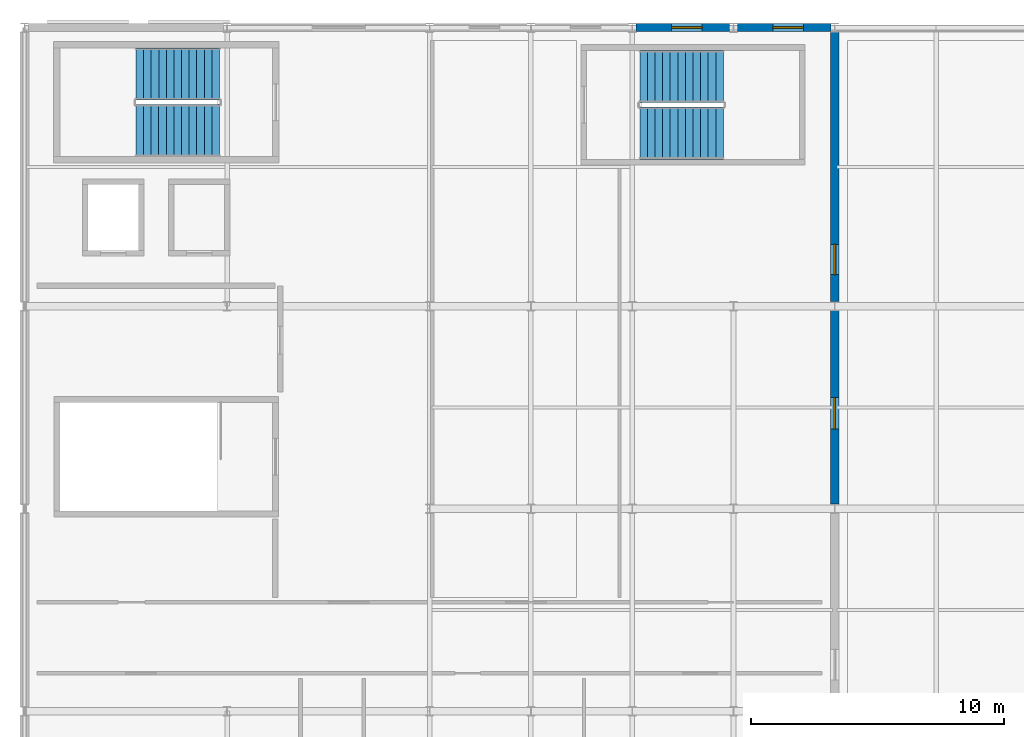
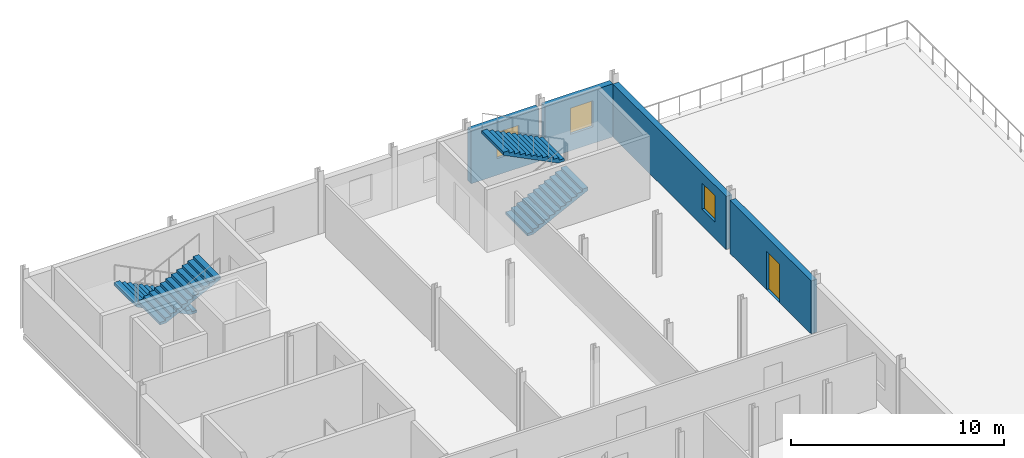
# One storey, part 8 of 11: 4 stair flights, 4 walls, 3 windows, 1 door, 4 openings, 2 elements without a shape of their own.
"""IFC4 building model written with IfcOpenShell, lengths in metres."""

from ifc_helpers import new_model, si_unit, derived_unit, direction, frame, frame_2d, origin, place, context, subcontext, project, spatial, polyline, rectangle, outline, extrude, material, layer, layer_set, type_object, element, fill, aggregate, save


model = new_model("IFC4")

# Units and contexts
model_context = context("Model", 3, precision=1e-05, world=origin(), true_north=direction((0.0, 1.0)))
body_context = subcontext(model_context, "Body", "Model", "MODEL_VIEW")
ifc_project = project(units=[si_unit("LENGTHUNIT", "METRE"), si_unit("AREAUNIT", "SQUARE_METRE"), si_unit("VOLUMEUNIT", "CUBIC_METRE"), si_unit("PLANEANGLEUNIT", "RADIAN"), si_unit("MASSUNIT", "GRAM", prefix="KILO"), derived_unit("THERMALTRANSMITTANCEUNIT", [(si_unit("POWERUNIT", "WATT"), 1), (si_unit("LENGTHUNIT", "METRE"), -2), (si_unit("THERMODYNAMICTEMPERATUREUNIT", "KELVIN"), -1)])], contexts=[model_context])

# Site, building, storey
site_placement = place(None, origin())
site = spatial("IfcSite", under=ifc_project, at=site_placement, CompositionType="ELEMENT")
building_placement = place(site_placement, origin())
building = spatial("IfcBuilding", under=site, at=building_placement, Name="Keldorne Ridge Multi-Sports Centre", CompositionType="ELEMENT")
storey_placement = place(building_placement, frame((0.0, 0.0, 18.60009765625)))
storey = spatial("IfcBuildingStorey", under=building, at=storey_placement, Name="L04", CompositionType="ELEMENT", Elevation=18.60009765625)

# Wall, opening, window
ifc_material_1 = material(Name="Precast concrete C40/50", Category="concrete")
ifc_layer = layer(ifc_material_1, 0.320068359375)
ifc_layer_set = layer_set([ifc_layer], Name="Precast concrete C40/50")
wall_type = type_object("IfcWallType", Name="WAL-PR-W1", PredefinedType="STANDARD", material=ifc_layer_set)
wall_1_placement = place(storey_placement, frame((131.847900390625, 117.0, 0.0), z_axis=(0.0, 0.0, 1.0), x_axis=(-1.0, 0.0, 0.0)))
wall_1 = element("IfcWall", 1, at=wall_1_placement, inside=storey, type_object=wall_type, Name="East Wing L04 north facade 5", PredefinedType="STANDARD", context=body_context, shape_type="SweptSolid", body=[
    extrude(rectangle(XDim=3.69580078125, YDim=0.320068359375, at=frame_2d((1.847900390625, 0.0))), origin(), (0.0, 0.0, 1.0), 3.0498046875),
])
opening_1_placement = place(wall_1_placement, frame((1.087890625, 0.0, 0.949951171875)))
opening_1 = element("IfcOpeningElement", 2, at=opening_1_placement, cuts=wall_1, Name="Opening W-03", PredefinedType="OPENING", context=body_context, shape_type="SweptSolid", body=[
    extrude(rectangle(XDim=1.199951171875, YDim=1.5, at=frame_2d((0.60009765625, 0.75))), frame((0.0, 0.169921875, 0.0), z_axis=(0.0, -1.0, 0.0), x_axis=(1.0, 0.0, 0.0)), (0.0, 0.0, 1.0), 0.340087890625),
])
ifc_material_2 = material(Name="Anodized aluminium", Category="aluminium")
window_type = type_object("IfcWindowType", Name="WIN-W-03", PartitioningType="SINGLE_PANEL", PredefinedType="WINDOW", material=ifc_material_2)
window_1_placement = place(opening_1_placement, origin())
window_1 = element("IfcWindow", 3, at=window_1_placement, inside=storey, type_object=window_type, Name="East Wing L04 north window W-116", OverallHeight=1.5, OverallWidth=1.199951171875, PartitioningType="SINGLE_PANEL", PredefinedType="WINDOW", context=body_context, shape_type="SweptSolid", body=[
    extrude(rectangle(XDim=1.199951171875, YDim=1.5, at=frame_2d((0.60009765625, 0.75))), frame((0.0, 0.030029296875, 0.0), z_axis=(0.0, -1.0, 0.0), x_axis=(1.0, 0.0, 0.0)), (0.0, 0.0, 1.0), 0.06005859375),
])
fill(opening_1, window_1)

wall_2_placement = place(storey_placement, frame((135.847900390625, 117.0, 0.0), z_axis=(0.0, 0.0, 1.0), x_axis=(-1.0, 0.0, 0.0)))
wall_2 = element("IfcWall", 4, at=wall_2_placement, inside=storey, type_object=wall_type, Name="East Wing L04 north facade 6", PredefinedType="STANDARD", context=body_context, shape_type="SweptSolid", body=[
    extrude(rectangle(XDim=3.69580078125, YDim=0.320068359375, at=frame_2d((1.847900390625, 0.0))), origin(), (0.0, 0.0, 1.0), 3.0498046875),
])
opening_2_placement = place(wall_2_placement, frame((1.087890625, 0.0, 0.949951171875)))
opening_2 = element("IfcOpeningElement", 5, at=opening_2_placement, cuts=wall_2, Name="Opening W-03", PredefinedType="OPENING", context=body_context, shape_type="SweptSolid", body=[
    extrude(rectangle(XDim=1.199951171875, YDim=1.5, at=frame_2d((0.60009765625, 0.75))), frame((0.0, 0.169921875, 0.0), z_axis=(0.0, -1.0, 0.0), x_axis=(1.0, 0.0, 0.0)), (0.0, 0.0, 1.0), 0.340087890625),
])
window_2_placement = place(opening_2_placement, origin())
window_2 = element("IfcWindow", 6, at=window_2_placement, inside=storey, type_object=window_type, Name="East Wing L04 north window W-117", OverallHeight=1.5, OverallWidth=1.199951171875, PartitioningType="SINGLE_PANEL", PredefinedType="WINDOW", context=body_context, shape_type="SweptSolid", body=[
    extrude(rectangle(XDim=1.199951171875, YDim=1.5, at=frame_2d((0.60009765625, 0.75))), frame((0.0, 0.030029296875, 0.0), z_axis=(0.0, -1.0, 0.0), x_axis=(1.0, 0.0, 0.0)), (0.0, 0.0, 1.0), 0.06005859375),
])
fill(opening_2, window_2)

# Wall, opening, door
wall_3_placement = place(storey_placement, frame((136.0, 98.177001953125, 0.0), z_axis=(0.0, 0.0, 1.0), x_axis=(0.0, 1.0, 0.0)))
wall_3 = element("IfcWall", 7, at=wall_3_placement, inside=storey, type_object=wall_type, Name="East Wing L04 east facade 4", PredefinedType="STANDARD", context=body_context, shape_type="SweptSolid", body=[
    extrude(rectangle(XDim=7.64599609375, YDim=0.320068359375, at=frame_2d((3.822998046875, 0.0))), origin(), (0.0, 0.0, 1.0), 3.0498046875),
])
opening_3_placement = place(wall_3_placement, frame((2.962890625, 0.0, 0.0)))
opening_3 = element("IfcOpeningElement", 8, at=opening_3_placement, cuts=wall_3, Name="Opening ED-06", PredefinedType="OPENING", context=body_context, shape_type="SweptSolid", body=[
    extrude(rectangle(XDim=1.25, YDim=2.199951171875, at=frame_2d((0.625, 1.10009765625))), frame((0.0, 0.169921875, 0.0), z_axis=(0.0, -1.0, 0.0), x_axis=(1.0, 0.0, 0.0)), (0.0, 0.0, 1.0), 0.340087890625),
])
ifc_material_3 = material(Name="Galvanized steel", Category="steel")
door_type = type_object("IfcDoorType", Name="DR-ED-06", OperationType="NOTDEFINED", PredefinedType="DOOR", material=ifc_material_3)
door_placement = place(opening_3_placement, origin())
door = element("IfcDoor", 9, at=door_placement, inside=storey, type_object=door_type, Name="L04 Stepped Roof Garden door 3", OperationType="SINGLE_SWING_LEFT", OverallHeight=2.199951171875, OverallWidth=1.25, PredefinedType="DOOR", context=body_context, shape_type="SweptSolid", body=[
    extrude(rectangle(XDim=1.25, YDim=2.199951171875, at=frame_2d((0.625, 1.10009765625))), frame((0.0, 0.02490234375, 0.0), z_axis=(0.0, -1.0, 0.0), x_axis=(1.0, 0.0, 0.0)), (0.0, 0.0, 1.0), 0.050048828125),
])
fill(opening_3, door)

# Wall, opening, window
wall_4_placement = place(storey_placement, frame((136.0, 106.177001953125, 0.0), z_axis=(0.0, 0.0, 1.0), x_axis=(0.0, 1.0, 0.0)))
wall_4 = element("IfcWall", 10, at=wall_4_placement, inside=storey, type_object=wall_type, Name="East Wing L04 east facade 5", PredefinedType="STANDARD", context=body_context, shape_type="SweptSolid", body=[
    extrude(rectangle(XDim=10.64599609375, YDim=0.320068359375, at=frame_2d((5.322998046875, 0.0))), origin(), (0.0, 0.0, 1.0), 3.0498046875),
])
opening_4_placement = place(wall_4_placement, frame((1.06298828125, 0.0, 0.949951171875)))
opening_4 = element("IfcOpeningElement", 11, at=opening_4_placement, cuts=wall_4, Name="Opening W-03", PredefinedType="OPENING", context=body_context, shape_type="SweptSolid", body=[
    extrude(rectangle(XDim=1.199951171875, YDim=1.5, at=frame_2d((0.60009765625, 0.75))), frame((0.0, 0.169921875, 0.0), z_axis=(0.0, -1.0, 0.0), x_axis=(1.0, 0.0, 0.0)), (0.0, 0.0, 1.0), 0.340087890625),
])
window_3_placement = place(opening_4_placement, origin())
window_3 = element("IfcWindow", 12, at=window_3_placement, inside=storey, type_object=window_type, Name="East Wing L04 east window W-120", OverallHeight=1.5, OverallWidth=1.199951171875, PartitioningType="SINGLE_PANEL", PredefinedType="WINDOW", context=body_context, shape_type="SweptSolid", body=[
    extrude(rectangle(XDim=1.199951171875, YDim=1.5, at=frame_2d((0.60009765625, 0.75))), frame((0.0, 0.030029296875, 0.0), z_axis=(0.0, -1.0, 0.0), x_axis=(1.0, 0.0, 0.0)), (0.0, 0.0, 1.0), 0.06005859375),
])
fill(opening_4, window_3)

# Stair, stair flights
ifc_material_4 = material(Name="Concrete C35/45", Category="concrete")
stair_type = type_object("IfcStairType", Name="STR-S01", PredefinedType="HALF_TURN_STAIR", material=ifc_material_4)
stair_1_placement = place(storey_placement, origin())
stair_1 = element("IfcStair", 13, at=stair_1_placement, inside=storey, type_object=stair_type, Name="L04 North-East Primary Clinical Core C1", PredefinedType="HALF_TURN_STAIR")
stair_flight_type = type_object("IfcStairFlightType", Name="STF-F01", PredefinedType="STRAIGHT", material=ifc_material_4)
stair_flight_1_placement = place(storey_placement, frame((111.699951171875, 115.169921875, 0.0), z_axis=(0.0, 0.0, 1.0), x_axis=(-1.0, 0.0, 0.0)))
stair_flight_1 = element("IfcStairFlight", 14, at=stair_flight_1_placement, type_object=stair_flight_type, Name="ST-01 flight 1", NumberOfRisers=12, NumberOfTreads=11, PredefinedType="STRAIGHT", RiserHeight=0.15, TreadLength=0.3, context=body_context, shape_type="SweptSolid", body=[
    extrude(outline(polyline([(0.0, 0.0), (0.0, 0.14990234375), (0.300048828125, 0.14990234375), (0.300048828125, 0.300048828125), (0.60009765625, 0.300048828125), (0.60009765625, 0.449951171875), (0.89990234375, 0.449951171875), (0.89990234375, 0.60009765625), (1.199951171875, 0.60009765625), (1.199951171875, 0.75), (1.5, 0.75), (1.5, 0.89990234375), (1.800048828125, 0.89990234375), (1.800048828125, 1.050048828125), (2.10009765625, 1.050048828125), (2.10009765625, 1.199951171875), (2.39990234375, 1.199951171875), (2.39990234375, 1.35009765625), (2.699951171875, 1.35009765625), (2.699951171875, 1.5), (3.0, 1.5), (3.0, 1.64990234375), (3.300048828125, 1.64990234375), (3.300048828125, 1.800048828125), (3.300048828125, 1.482421875), (0.335205078125, 0.0), (0.0, 0.0)])), frame((0.0, 1.030029296875, 0.0), z_axis=(0.0, -1.0, 0.0), x_axis=(1.0, 0.0, 0.0)), (0.0, 0.0, 1.0), 2.06005859375),
])
stair_flight_2_placement = place(storey_placement, frame((108.39990234375, 112.929931640625, 1.7998046875), z_axis=(0.0, 0.0, 1.0), x_axis=(1.0, 0.0, 0.0)))
stair_flight_2 = element("IfcStairFlight", 15, at=stair_flight_2_placement, type_object=stair_flight_type, Name="ST-01 flight 2", NumberOfRisers=12, NumberOfTreads=11, PredefinedType="STRAIGHT", RiserHeight=0.15, TreadLength=0.3, context=body_context, shape_type="SweptSolid", body=[
    extrude(outline(polyline([(0.0, 0.0), (0.0, 0.14990234375), (0.300048828125, 0.14990234375), (0.300048828125, 0.300048828125), (0.60009765625, 0.300048828125), (0.60009765625, 0.449951171875), (0.89990234375, 0.449951171875), (0.89990234375, 0.60009765625), (1.199951171875, 0.60009765625), (1.199951171875, 0.75), (1.5, 0.75), (1.5, 0.89990234375), (1.800048828125, 0.89990234375), (1.800048828125, 1.050048828125), (2.10009765625, 1.050048828125), (2.10009765625, 1.199951171875), (2.39990234375, 1.199951171875), (2.39990234375, 1.35009765625), (2.699951171875, 1.35009765625), (2.699951171875, 1.5), (3.0, 1.5), (3.0, 1.64990234375), (3.300048828125, 1.64990234375), (3.300048828125, 1.800048828125), (3.300048828125, 1.482421875), (0.335205078125, 0.0), (0.0, 0.0)])), frame((0.0, 1.030029296875, 0.0), z_axis=(0.0, -1.0, 0.0), x_axis=(1.0, 0.0, 0.0)), (0.0, 0.0, 1.0), 2.06005859375),
])
aggregate(stair_1, [stair_flight_1, stair_flight_2])

stair_2_placement = place(storey_placement, origin())
stair_2 = element("IfcStair", 16, at=stair_2_placement, inside=storey, type_object=stair_type, Name="L04 Upper Studio Escape Stair ST-10", PredefinedType="HALF_TURN_STAIR")
stair_flight_3_placement = place(storey_placement, frame((128.300048828125, 112.830078125, 0.0), z_axis=(0.0, 0.0, 1.0), x_axis=(1.0, 0.0, 0.0)))
stair_flight_3 = element("IfcStairFlight", 17, at=stair_flight_3_placement, type_object=stair_flight_type, Name="ST-10 flight 1", NumberOfRisers=12, NumberOfTreads=11, PredefinedType="STRAIGHT", RiserHeight=0.15, TreadLength=0.3, context=body_context, shape_type="SweptSolid", body=[
    extrude(outline(polyline([(0.0, 0.0), (0.0, 0.14990234375), (0.300048828125, 0.14990234375), (0.300048828125, 0.300048828125), (0.60009765625, 0.300048828125), (0.60009765625, 0.449951171875), (0.89990234375, 0.449951171875), (0.89990234375, 0.60009765625), (1.199951171875, 0.60009765625), (1.199951171875, 0.75), (1.5, 0.75), (1.5, 0.89990234375), (1.800048828125, 0.89990234375), (1.800048828125, 1.050048828125), (2.10009765625, 1.050048828125), (2.10009765625, 1.199951171875), (2.39990234375, 1.199951171875), (2.39990234375, 1.35009765625), (2.699951171875, 1.35009765625), (2.699951171875, 1.5), (3.0, 1.5), (3.0, 1.64990234375), (3.300048828125, 1.64990234375), (3.300048828125, 1.800048828125), (3.300048828125, 1.482421875), (0.335205078125, 0.0), (0.0, 0.0)])), frame((0.0, 1.030029296875, 0.0), z_axis=(0.0, -1.0, 0.0), x_axis=(1.0, 0.0, 0.0)), (0.0, 0.0, 1.0), 2.06005859375),
])
stair_flight_4_placement = place(storey_placement, frame((131.60009765625, 115.070068359375, 1.7998046875), z_axis=(0.0, 0.0, 1.0), x_axis=(-1.0, 0.0, 0.0)))
stair_flight_4 = element("IfcStairFlight", 18, at=stair_flight_4_placement, type_object=stair_flight_type, Name="ST-10 flight 2", NumberOfRisers=12, NumberOfTreads=11, PredefinedType="STRAIGHT", RiserHeight=0.15, TreadLength=0.3, context=body_context, shape_type="SweptSolid", body=[
    extrude(outline(polyline([(0.0, 0.0), (0.0, 0.14990234375), (0.300048828125, 0.14990234375), (0.300048828125, 0.300048828125), (0.60009765625, 0.300048828125), (0.60009765625, 0.449951171875), (0.89990234375, 0.449951171875), (0.89990234375, 0.60009765625), (1.199951171875, 0.60009765625), (1.199951171875, 0.75), (1.5, 0.75), (1.5, 0.89990234375), (1.800048828125, 0.89990234375), (1.800048828125, 1.050048828125), (2.10009765625, 1.050048828125), (2.10009765625, 1.199951171875), (2.39990234375, 1.199951171875), (2.39990234375, 1.35009765625), (2.699951171875, 1.35009765625), (2.699951171875, 1.5), (3.0, 1.5), (3.0, 1.64990234375), (3.300048828125, 1.64990234375), (3.300048828125, 1.800048828125), (3.300048828125, 1.482421875), (0.335205078125, 0.0), (0.0, 0.0)])), frame((0.0, 1.030029296875, 0.0), z_axis=(0.0, -1.0, 0.0), x_axis=(1.0, 0.0, 0.0)), (0.0, 0.0, 1.0), 2.06005859375),
])
aggregate(stair_2, [stair_flight_3, stair_flight_4])

save(model, "model.ifc")
